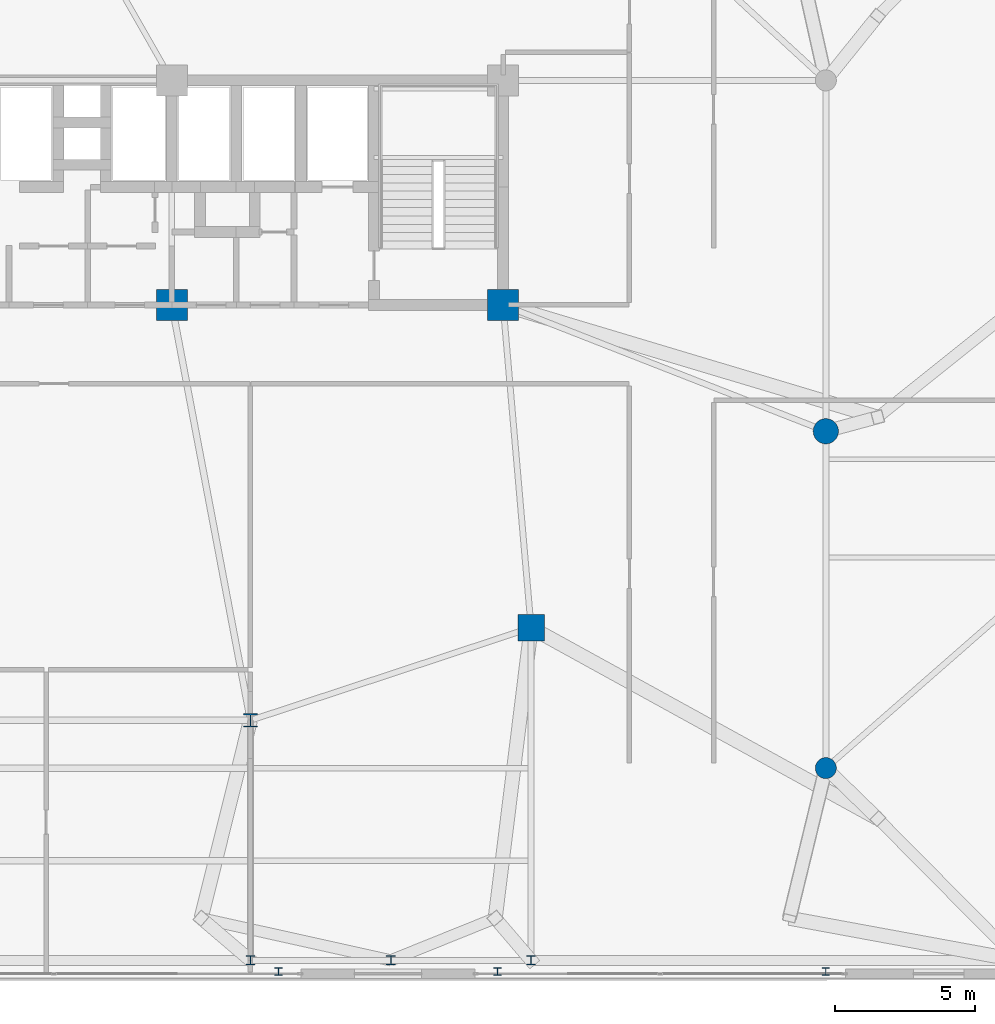
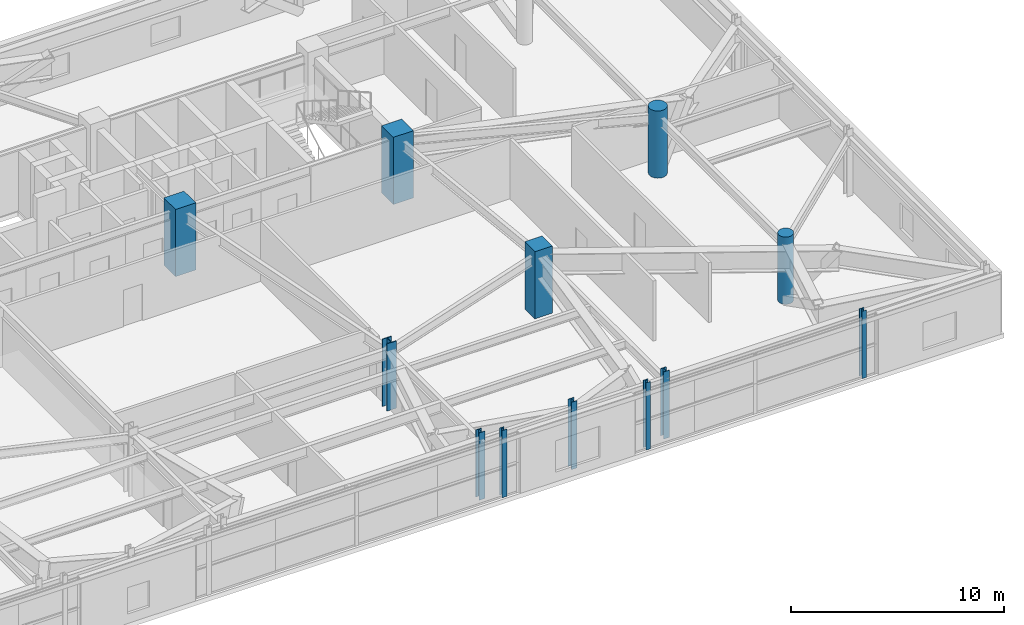
# One storey, part 2 of 27: 12 columns.
"""IFC4 building model written with IfcOpenShell, lengths in metres."""

import ifcopenshell
import ifcopenshell.guid

model = None  # the IFC model being written
_history = None  # IfcOwnerHistory: only IFC2X3 demands one
_inside = {}  # id of a spatial element -> (the spatial element, [elements in it])
_under = {}  # id of a project, library or spatial element -> (it, [spatial elements below it])
_declared = {}  # id of a project -> (the project, [libraries it declares])
_typed = {}  # id of a type object -> (the type object, [elements of that type])
_made_of = {}  # id of a material, layer set ... -> (it, [elements and type objects made of it])


def new_model(schema):
    """Start an empty IFC model of exactly this schema.

    Asked for "IFC4X3", IfcOpenShell would pick the latest addendum, in which some entities
    have other attributes; the version numbers below select the first issue.
    IFC2X3 requires an IfcOwnerHistory on every rooted entity: one is made here for all.
    """
    global model, _history
    if schema == "IFC4X3":
        model = ifcopenshell.file(schema_version=(4, 3, 0, 0))
    else:
        model = ifcopenshell.file(schema=schema)
    _inside.clear()
    _under.clear()
    _declared.clear()
    _typed.clear()
    _made_of.clear()
    _history = None
    if model.schema == "IFC2X3":
        org = make("IfcOrganization", Name="unknown")
        user = make(
            "IfcPersonAndOrganization",
            ThePerson=make("IfcPerson", FamilyName="unknown"),
            TheOrganization=org,
        )
        app = make(
            "IfcApplication",
            ApplicationDeveloper=org,
            Version="unknown",
            ApplicationFullName="unknown",
            ApplicationIdentifier="unknown",
        )
        _history = make(
            "IfcOwnerHistory",
            OwningUser=user,
            OwningApplication=app,
            ChangeAction="ADDED",
            CreationDate=0,
        )
    return model


def make(cls, **values):
    """One entity of the class cls with the attributes given. An attribute that is None is left unset."""
    return model.create_entity(
        cls, **{name: value for name, value in values.items() if value is not None}
    )


def rooted(cls, **values):
    """An entity with a GlobalId (a new one), such as an element, a storey or a relation."""
    return make(cls, GlobalId=ifcopenshell.guid.new(), OwnerHistory=_history, **values)


def si_unit(unit_type, name, prefix=None):
    """IfcSIUnit, for example si_unit("LENGTHUNIT", "METRE", prefix="MILLI")."""
    return make("IfcSIUnit", UnitType=unit_type, Prefix=prefix, Name=name)


def assignment(units):
    """IfcUnitAssignment: the units of a project."""
    return None if units is None else make("IfcUnitAssignment", Units=units)


def point(xyz):
    """IfcCartesianPoint."""
    return None if xyz is None else make("IfcCartesianPoint", Coordinates=xyz)


def direction(xyz):
    """IfcDirection."""
    return None if xyz is None else make("IfcDirection", DirectionRatios=xyz)


def frame(location, z_axis=None, x_axis=None):
    """IfcAxis2Placement3D, a coordinate frame: its origin and axes. An axis left out is left unset."""
    return make(
        "IfcAxis2Placement3D",
        Location=point(location),
        Axis=direction(z_axis),
        RefDirection=direction(x_axis),
    )


def frame_2d(location, x_axis=None):
    """IfcAxis2Placement2D, a coordinate frame in the plane: its origin and x axis."""
    return make(
        "IfcAxis2Placement2D", Location=point(location), RefDirection=direction(x_axis)
    )


def origin():
    """The frame at (0, 0, 0) with its axes left unset."""
    return frame((0.0, 0.0, 0.0))


def origin_2d():
    """The frame at (0, 0) in the plane with its x axis left unset."""
    return frame_2d((0.0, 0.0))


def place(relative_to, where):
    """IfcLocalPlacement: puts the frame where relative to a parent placement (None: the world)."""
    return make(
        "IfcLocalPlacement", PlacementRelTo=relative_to, RelativePlacement=where
    )


def context(
    kind, dimensions, precision=None, world=None, true_north=None, identifier=None
):
    """IfcGeometricRepresentationContext, for example the 3D "Model" context."""
    return make(
        "IfcGeometricRepresentationContext",
        ContextIdentifier=identifier,
        ContextType=kind,
        CoordinateSpaceDimension=dimensions,
        Precision=precision,
        WorldCoordinateSystem=world,
        TrueNorth=true_north,
    )


def subcontext(parent, identifier, kind, view, scale=None):
    """IfcGeometricRepresentationSubContext, for example "Body" below "Model"."""
    return make(
        "IfcGeometricRepresentationSubContext",
        ContextIdentifier=identifier,
        ContextType=kind,
        ParentContext=parent,
        TargetScale=scale,
        TargetView=view,
    )


def project(units=None, contexts=None):
    """IfcProject with its units and contexts."""
    return rooted(
        "IfcProject",
        Name="project",
        RepresentationContexts=contexts,
        UnitsInContext=assignment(units),
    )


def spatial(cls, under=None, at=None, **own):
    """A site, building, storey or space (cls), placed at a placement, below another one or the project."""
    s = rooted(cls, ObjectPlacement=at, **own)
    if under is not None:
        _under.setdefault(under.id(), (under, []))[1].append(s)
    return s


def profile(cls, at=None, kind="AREA", **sizes):
    """A parametric profile (cls). Its sizes go by their IFC names, for example OverallWidth=200.0."""
    return make(cls, ProfileType=kind, Position=at, **sizes)


def rectangle(**sizes):
    """IfcRectangleProfileDef."""
    return profile("IfcRectangleProfileDef", **sizes)


def circle(**sizes):
    """IfcCircleProfileDef."""
    return profile("IfcCircleProfileDef", **sizes)


def i_section(**sizes):
    """IfcIShapeProfileDef."""
    return profile("IfcIShapeProfileDef", **sizes)


def extrude(swept, where, along, depth):
    """IfcExtrudedAreaSolid: the profile swept, set in the frame where, extruded along a direction by depth."""
    return make(
        "IfcExtrudedAreaSolid",
        SweptArea=swept,
        Position=where,
        ExtrudedDirection=direction(along),
        Depth=depth,
    )


def shape(context_of_items, identifier, shape_type, items):
    """IfcShapeRepresentation: the items that make up one representation, for example the "Body"."""
    return make(
        "IfcShapeRepresentation",
        ContextOfItems=context_of_items,
        RepresentationIdentifier=identifier,
        RepresentationType=shape_type,
        Items=items,
    )


def source(mapping_origin, context_of_items, identifier, shape_type, items):
    """IfcRepresentationMap: a shape defined once, which mapped items show again and again."""
    return make(
        "IfcRepresentationMap",
        MappingOrigin=mapping_origin,
        MappedRepresentation=shape(context_of_items, identifier, shape_type, items),
    )


def transform(
    local_origin,
    x_axis=None,
    y_axis=None,
    z_axis=None,
    scale=None,
    scale2=None,
    scale3=None,
    uniform=True,
):
    """IfcCartesianTransformationOperator3D, or its non-uniform kind. x_axis, y_axis, z_axis: its Axis1, 2, 3."""
    if uniform:
        return make(
            "IfcCartesianTransformationOperator3D",
            Axis1=direction(x_axis),
            Axis2=direction(y_axis),
            LocalOrigin=point(local_origin),
            Scale=scale,
            Axis3=direction(z_axis),
        )
    return make(
        "IfcCartesianTransformationOperator3DnonUniform",
        Axis1=direction(x_axis),
        Axis2=direction(y_axis),
        LocalOrigin=point(local_origin),
        Scale=scale,
        Axis3=direction(z_axis),
        Scale2=scale2,
        Scale3=scale3,
    )


def mapped(mapping_source, mapping_target):
    """IfcMappedItem: shows the shape of a source again, moved by a transform."""
    return make(
        "IfcMappedItem", MappingSource=mapping_source, MappingTarget=mapping_target
    )


def material(Name=None, Category=None):
    """IfcMaterial."""
    return make("IfcMaterial", Name=Name, Category=Category)


def material_profile(
    of_material, cross_section, Name=None, Category=None, Priority=None
):
    """IfcMaterialProfile: a cross section and its material."""
    return make(
        "IfcMaterialProfile",
        Name=Name,
        Material=of_material,
        Profile=cross_section,
        Priority=Priority,
        Category=Category,
    )


def profile_set(profiles, Name=None, composite=None):
    """IfcMaterialProfileSet."""
    return make(
        "IfcMaterialProfileSet",
        Name=Name,
        MaterialProfiles=profiles,
        CompositeProfile=composite,
    )


def made_of(thing, what):
    """Note that an element or type object is made of a material, layer set ...; save() writes the relation."""
    if what is not None:
        _made_of.setdefault(what.id(), (what, []))[1].append(thing)
    return thing


def type_object(cls, material=None, **own):
    """A type object (cls), such as IfcWallType, which elements share."""
    return made_of(rooted(cls, **own), material)


def element(
    cls,
    number,
    at=None,
    inside=None,
    cuts=None,
    type_object=None,
    material=None,
    context=None,
    identifier="Body",
    shape_type=None,
    held_by="IfcProductDefinitionShape",
    body=None,
    shapes=None,
    **own,
):
    """One element of the class cls, such as IfcWall. Its Tag is "e" and its number.

    at: its placement. inside: the storey or other place that contains it. cuts: it is an
    opening in that element (IfcRelVoidsElement). A single representation is given by context,
    identifier, shape_type and body (its items); several are given by shapes. held_by: the class
    of the entity that holds the representations. save() writes the other relations.
    """
    e = rooted(cls, Tag="e%d" % number, ObjectPlacement=at, **own)
    if body is not None:
        shapes = [shape(context, identifier, shape_type, body)]
    if shapes is not None:
        e.Representation = make(held_by, Representations=shapes)
    if inside is not None:
        _inside.setdefault(inside.id(), (inside, []))[1].append(e)
    if cuts is not None:
        rooted(
            "IfcRelVoidsElement", RelatingBuildingElement=cuts, RelatedOpeningElement=e
        )
    if type_object is not None:
        _typed.setdefault(type_object.id(), (type_object, []))[1].append(e)
    return made_of(e, material)


def aggregate(whole, parts):
    """IfcRelAggregates: a whole, such as a stair, and the parts it consists of."""
    return rooted("IfcRelAggregates", RelatingObject=whole, RelatedObjects=parts)


def save(model, path):
    """Write the relations noted so far, then the file.

    IfcRelAggregates (storeys below a building ...), IfcRelContainedInSpatialStructure (elements
    in a storey), IfcRelDefinesByType, IfcRelAssociatesMaterial and IfcRelDeclares: one each for
    every whole, place, type object, material and project.
    """
    for whole, parts in _under.values():
        aggregate(whole, parts)
    for where, things in _inside.values():
        rooted(
            "IfcRelContainedInSpatialStructure",
            RelatedElements=things,
            RelatingStructure=where,
        )
    for kind, things in _typed.values():
        rooted("IfcRelDefinesByType", RelatedObjects=things, RelatingType=kind)
    for what, things in _made_of.values():
        rooted("IfcRelAssociatesMaterial", RelatedObjects=things, RelatingMaterial=what)
    for by, libraries in _declared.values():
        rooted("IfcRelDeclares", RelatingContext=by, RelatedDefinitions=libraries)
    model.write(path)


model = new_model("IFC4")

# Units and contexts
model_context = context("Model", 3, precision=1e-05, world=origin(), true_north=direction((0.0, 1.0)))
body_context = subcontext(model_context, "Body", "Model", "MODEL_VIEW")
ifc_project = project(units=[si_unit("LENGTHUNIT", "METRE"), si_unit("AREAUNIT", "SQUARE_METRE"), si_unit("VOLUMEUNIT", "CUBIC_METRE"), si_unit("PLANEANGLEUNIT", "RADIAN"), si_unit("MASSUNIT", "GRAM", prefix="KILO")], contexts=[model_context])

# Site, building, storey
site_placement = place(None, origin())
site = spatial("IfcSite", under=ifc_project, at=site_placement, CompositionType="ELEMENT")
building_placement = place(site_placement, origin())
building = spatial("IfcBuilding", under=site, at=building_placement, Name="Taldren Reach Tower", CompositionType="ELEMENT")
storey_placement = place(building_placement, frame((0.0, 0.0, 12.949951171875)))
storey = spatial("IfcBuildingStorey", under=building, at=storey_placement, Name="L03", CompositionType="ELEMENT", Elevation=12.949951171875)

# Columns
ifc_material_1 = material(Name="Concrete S100 (100 MPa)", Category="concrete")
ifc_material_profile_1 = material_profile(ifc_material_1, rectangle(XDim=1.10009765625, YDim=1.10009765625, at=origin_2d()), Name="RC-1100x1100")
ifc_profile_set_1 = profile_set([ifc_material_profile_1], Name="Concrete S100 (100 MPa)")
column_type_1 = type_object("IfcColumnType", Name="COL-RC1100", PredefinedType="COLUMN", material=ifc_profile_set_1)
shared_shape_1 = source(origin(), body_context, "Body", "SweptSolid", [
    extrude(rectangle(XDim=1.10009765625, YDim=1.10009765625, at=origin_2d()), origin(), (0.0, 0.0, 1.0), 3.85009765625),
])
for number, where, z_axis, x_axis, name in (
    (1, (39.199951171875, 24.0, 0.0), (0.0, 0.0, 1.0), (1.0, 0.0, 0.0), "Mega column MC-C3 L03"),
    (2, (51.0, 24.0, 0.0), (0.0, 0.0, 1.0), (1.0, 0.0, 0.0), "Mega column MC-C4 L03"),
):
    element("IfcColumn", number, at=place(storey_placement, frame(where, z_axis=z_axis, x_axis=x_axis)), inside=storey, type_object=column_type_1, Name=name, PredefinedType="COLUMN", context=body_context, shape_type="MappedRepresentation", body=[
        mapped(shared_shape_1, transform((0.0, 0.0, 0.0), scale=1.0)),
    ])
ifc_material_2 = material(Name="Steel Gr 350 (350PLUS)", Category="steel")
ifc_material_profile_2 = material_profile(ifc_material_2, i_section(OverallWidth=0.5, OverallDepth=0.47998046875, WebThickness=0.028076171875, FlangeThickness=0.0439453125, at=origin_2d()), Name="500WC440")
ifc_profile_set_2 = profile_set([ifc_material_profile_2], Name="Steel Gr 350 (350PLUS)")
column_type_2 = type_object("IfcColumnType", Name="COL-WC500A", PredefinedType="COLUMN", material=ifc_profile_set_2)
shared_shape_2 = source(origin(), body_context, "Body", "SweptSolid", [
    extrude(i_section(OverallWidth=0.5, OverallDepth=0.47998046875, WebThickness=0.028076171875, FlangeThickness=0.0439453125, at=origin_2d()), origin(), (0.0, 0.0, 1.0), 3.85009765625),
])
column_1_placement = place(storey_placement, frame((42.0, 9.199951171875, 0.0), z_axis=(0.0, 0.0, 1.0), x_axis=(1.0, 0.0, 0.0)))
element("IfcColumn", 3, at=column_1_placement, inside=storey, type_object=column_type_2, Name="Mega column MC-PJE L03", PredefinedType="COLUMN", context=body_context, shape_type="MappedRepresentation", body=[
    mapped(shared_shape_2, transform((0.0, 0.0, 0.0), scale=1.0)),
])
ifc_material_3 = material(Name="Concrete S80 (80 MPa)", Category="concrete")
ifc_material_profile_3 = material_profile(ifc_material_3, rectangle(XDim=0.949951171875, YDim=0.949951171875, at=origin_2d()), Name="RC-950x950")
ifc_profile_set_3 = profile_set([ifc_material_profile_3], Name="Concrete S80 (80 MPa)")
column_type_3 = type_object("IfcColumnType", Name="COL-RC950", PredefinedType="COLUMN", material=ifc_profile_set_3)
shared_shape_3 = source(origin(), body_context, "Body", "SweptSolid", [
    extrude(rectangle(XDim=0.949951171875, YDim=0.949951171875, at=origin_2d()), origin(), (0.0, 0.0, 1.0), 3.85009765625),
])
column_2_placement = place(storey_placement, frame((52.0, 12.5, 0.0), z_axis=(0.0, 0.0, 1.0), x_axis=(1.0, 0.0, 0.0)))
element("IfcColumn", 4, at=column_2_placement, inside=storey, type_object=column_type_3, Name="Mega column MC-SE L03", PredefinedType="COLUMN", context=body_context, shape_type="MappedRepresentation", body=[
    mapped(shared_shape_3, transform((0.0, 0.0, 0.0), scale=1.0)),
])
ifc_material_profile_4 = material_profile(ifc_material_3, circle(Radius=0.449951171875, at=origin_2d()), Name="RC-900D")
ifc_profile_set_4 = profile_set([ifc_material_profile_4], Name="Concrete S80 (80 MPa)")
column_type_4 = type_object("IfcColumnType", Name="COL-RCD900", PredefinedType="COLUMN", material=ifc_profile_set_4)
shared_shape_4 = source(origin(), body_context, "Body", "SweptSolid", [
    extrude(circle(Radius=0.449951171875, at=origin_2d()), origin(), (0.0, 0.0, 1.0), 3.85009765625),
])
column_3_placement = place(storey_placement, frame((62.5, 19.5, 0.0), z_axis=(0.0, 0.0, 1.0), x_axis=(1.0, 0.0, 0.0)))
element("IfcColumn", 5, at=column_3_placement, inside=storey, type_object=column_type_4, Name="Podium structural column PG-5 L03", PredefinedType="COLUMN", context=body_context, shape_type="MappedRepresentation", body=[
    mapped(shared_shape_4, transform((0.0, 0.0, 0.0), scale=1.0)),
])
ifc_material_4 = material(Name="Concrete S65 (65 MPa)", Category="concrete")
ifc_material_profile_5 = material_profile(ifc_material_4, circle(Radius=0.375, at=origin_2d()), Name="RC-750D")
ifc_profile_set_5 = profile_set([ifc_material_profile_5], Name="Concrete S65 (65 MPa)")
column_type_5 = type_object("IfcColumnType", Name="COL-RCD750", PredefinedType="COLUMN", material=ifc_profile_set_5)
shared_shape_5 = source(origin(), body_context, "Body", "SweptSolid", [
    extrude(circle(Radius=0.375, at=origin_2d()), origin(), (0.0, 0.0, 1.0), 3.85009765625),
])
column_4_placement = place(storey_placement, frame((62.5, 7.5, 0.0), z_axis=(0.0, 0.0, 1.0), x_axis=(1.0, 0.0, 0.0)))
element("IfcColumn", 6, at=column_4_placement, inside=storey, type_object=column_type_5, Name="Podium structural column PG-4 L03", PredefinedType="COLUMN", context=body_context, shape_type="MappedRepresentation", body=[
    mapped(shared_shape_5, transform((0.0, 0.0, 0.0), scale=1.0)),
])
ifc_material_profile_6 = material_profile(ifc_material_2, i_section(OverallWidth=0.31103515625, OverallDepth=0.326904296875, WebThickness=0.015625, FlangeThickness=0.02490234375, at=origin_2d()), Name="310UC158")
ifc_profile_set_6 = profile_set([ifc_material_profile_6], Name="Steel Gr 350 (350PLUS)")
column_type_6 = type_object("IfcColumnType", Name="COL-UC310A", PredefinedType="COLUMN", material=ifc_profile_set_6)
shared_shape_6 = source(origin(), body_context, "Body", "SweptSolid", [
    extrude(i_section(OverallWidth=0.31103515625, OverallDepth=0.326904296875, WebThickness=0.015625, FlangeThickness=0.02490234375, at=origin_2d()), origin(), (0.0, 0.0, 1.0), 3.85009765625),
])
for number, where, z_axis, x_axis, name in (
    (7, (42.0, 0.64990234375, 0.0), (0.0, 0.0, 1.0), (1.0, 0.0, 0.0), "Podium structural column PG-8 L03"),
    (8, (47.0, 0.64990234375, 0.0), (0.0, 0.0, 1.0), (1.0, 0.0, 0.0), "Podium structural column PP-S3 L03"),
    (9, (52.0, 0.64990234375, 0.0), (0.0, 0.0, 1.0), (1.0, 0.0, 0.0), "Podium structural column PP-S4 L03"),
):
    element("IfcColumn", number, at=place(storey_placement, frame(where, z_axis=z_axis, x_axis=x_axis)), inside=storey, type_object=column_type_6, Name=name, PredefinedType="COLUMN", context=body_context, shape_type="MappedRepresentation", body=[
        mapped(shared_shape_6, transform((0.0, 0.0, 0.0), scale=1.0)),
    ])
ifc_material_profile_7 = material_profile(ifc_material_2, i_section(OverallWidth=0.256103515625, OverallDepth=0.260009765625, WebThickness=0.010498046875, FlangeThickness=0.017333984375, at=origin_2d()), Name="250UC89.5")
ifc_profile_set_7 = profile_set([ifc_material_profile_7], Name="Steel Gr 350 (350PLUS)")
column_type_7 = type_object("IfcColumnType", Name="PIL-UC250", PredefinedType="PILASTER", material=ifc_profile_set_7)
shared_shape_7 = source(origin(), body_context, "Body", "SweptSolid", [
    extrude(i_section(OverallWidth=0.256103515625, OverallDepth=0.260009765625, WebThickness=0.010498046875, FlangeThickness=0.017333984375, at=origin_2d()), origin(), (0.0, 0.0, 1.0), 3.85009765625),
])
for number, where, z_axis, x_axis, name in (
    (10, (43.0, 0.25, 0.0), (0.0, 0.0, 1.0), (1.0, 0.0, 0.0), "Waterfront colonnade pilaster S-43.0 L03"),
    (11, (50.800048828125, 0.25, 0.0), (0.0, 0.0, 1.0), (1.0, 0.0, 0.0), "Waterfront colonnade pilaster S-50.8 L03"),
    (12, (62.5, 0.25, 0.0), (0.0, 0.0, 1.0), (1.0, 0.0, 0.0), "Waterfront colonnade pilaster S-62.5 L03"),
):
    element("IfcColumn", number, at=place(storey_placement, frame(where, z_axis=z_axis, x_axis=x_axis)), inside=storey, type_object=column_type_7, Name=name, PredefinedType="PILASTER", context=body_context, shape_type="MappedRepresentation", body=[
        mapped(shared_shape_7, transform((0.0, 0.0, 0.0), scale=1.0)),
    ])

save(model, "model.ifc")
